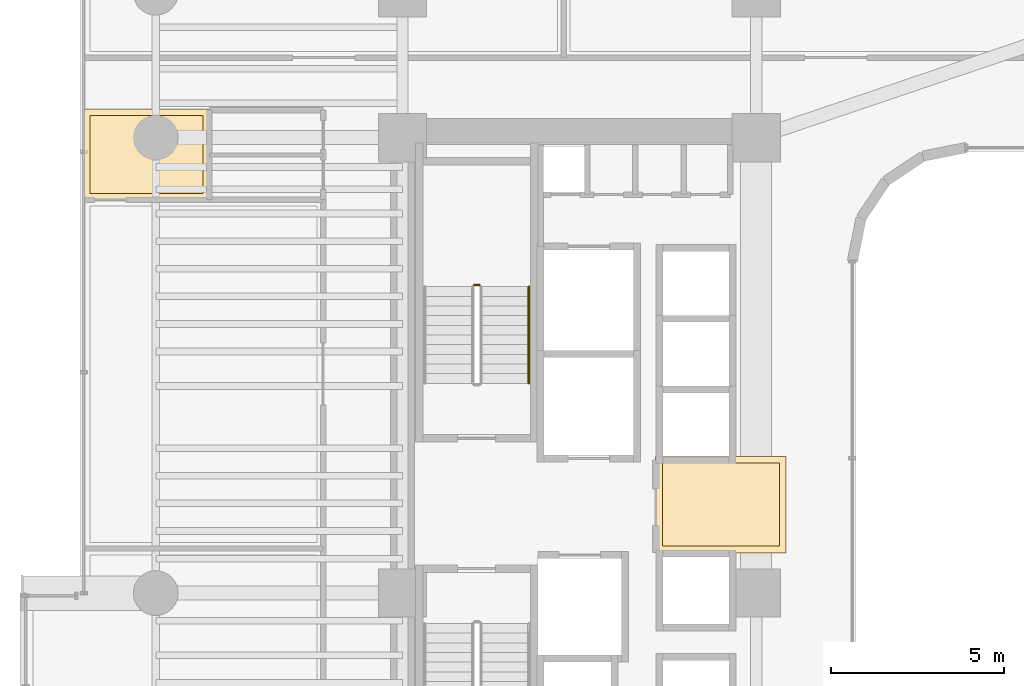
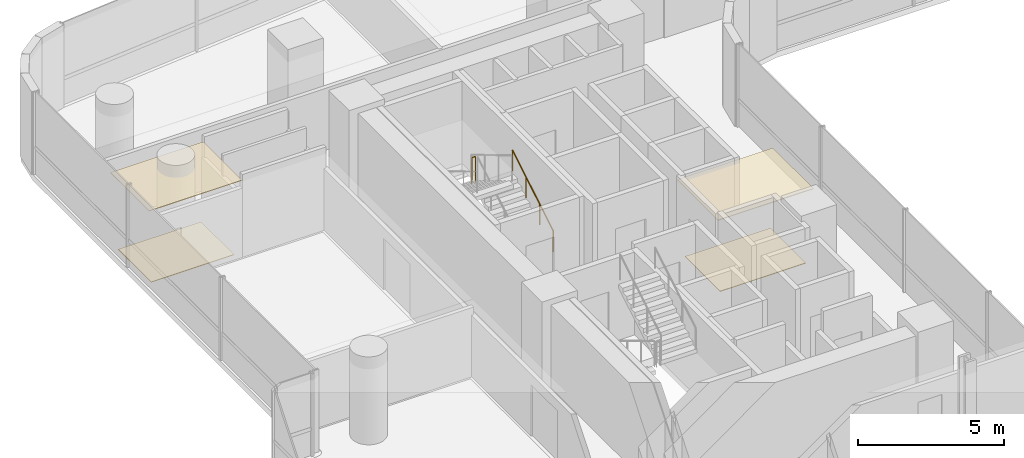
# One storey, part 38 of 41: 4 coverings, 2 railings.
"""IFC4 building model written with IfcOpenShell, lengths in metres."""

from ifc_helpers import new_model, si_unit, direction, frame, origin, origin_2d, place, context, subcontext, project, spatial, polyline, circle, outline, extrude, material, layer, layer_set, type_object, element, save


model = new_model("IFC4")

# Units and contexts
model_context = context("Model", 3, precision=1e-05, world=origin(), true_north=direction((0.0, 1.0)))
body_context = subcontext(model_context, "Body", "Model", "MODEL_VIEW")
ifc_project = project(units=[si_unit("LENGTHUNIT", "METRE"), si_unit("AREAUNIT", "SQUARE_METRE"), si_unit("VOLUMEUNIT", "CUBIC_METRE"), si_unit("PLANEANGLEUNIT", "RADIAN"), si_unit("MASSUNIT", "GRAM", prefix="KILO")], contexts=[model_context])

# Site, building, storey
site_placement = place(None, origin())
site = spatial("IfcSite", under=ifc_project, at=site_placement, CompositionType="ELEMENT")
building_placement = place(site_placement, origin())
building = spatial("IfcBuilding", under=site, at=building_placement, Name="Valdorenza Pilgrim Sanctuary Tower", CompositionType="ELEMENT")
storey_placement = place(building_placement, frame((0.0, 0.0, 63.0)))
storey = spatial("IfcBuildingStorey", under=building, at=storey_placement, Name="L15", CompositionType="ELEMENT", Elevation=63.0)

# Coverings
ifc_material_1 = material(Name="Micro-perforated acoustic mineral ceiling tile", Category="gypsum")
ifc_layer_1 = layer(ifc_material_1, 0.02490234375, Name="Micro-perforated acoustic mineral ceiling tile")
ifc_layer_set_1 = layer_set([ifc_layer_1], Name="Micro-perforated acoustic mineral ceiling tile")
covering_type_1 = type_object("IfcCoveringType", Name="COV-CLG-ACU", PredefinedType="CEILING", material=ifc_layer_set_1)
covering_1_placement = place(storey_placement, frame((0.0, 0.0, 3.159912109375)))
element("IfcCovering", 1, at=covering_1_placement, inside=storey, type_object=covering_type_1, Name="L15 Core A Passenger Lift Lobby Acoustic Ceiling", PredefinedType="CEILING", context=body_context, shape_type="SweptSolid", body=[
    extrude(outline(polyline([(-15.31298828125, 1.244384765625), (-15.31298828125, 1.24462890625), (-15.313720703125, 1.24609375), (-15.314208984375, 1.24755859375), (-15.314697265625, 1.2490234375), (-15.31494140625, 1.25048828125), (-15.31494140625, 1.251953125), (-15.31494140625, 1.35009765625), (-15.31494140625, 1.3515625), (-15.314697265625, 1.352783203125), (-15.314453125, 1.3544921875), (-15.31396484375, 1.355712890625), (-15.313232421875, 1.357177734375), (-15.3125, 1.3583984375), (-15.3115234375, 1.359619140625), (-15.310546875, 1.360595703125), (-15.3095703125, 1.361572265625), (-15.308349609375, 1.362548828125), (-15.30712890625, 1.36328125), (-15.3056640625, 1.364013671875), (-15.304443359375, 1.364501953125), (-15.302978515625, 1.36474609375), (-15.301513671875, 1.364990234375), (-15.300048828125, 1.364990234375), (-15.10205078125, 1.364990234375), (-15.1005859375, 1.364990234375), (-15.09912109375, 1.36474609375), (-15.097412109375, 1.3642578125), (-15.09619140625, 1.36376953125), (-15.0947265625, 1.363037109375), (-15.094482421875, 1.363037109375), (-13.185546875, 1.363037109375), (-13.185302734375, 1.363037109375), (-13.183837890625, 1.36376953125), (-13.1826171875, 1.3642578125), (-13.180908203125, 1.36474609375), (-13.179443359375, 1.364990234375), (-13.177978515625, 1.364990234375), (-11.550048828125, 1.364990234375), (-11.548583984375, 1.364990234375), (-11.547119140625, 1.36474609375), (-11.545654296875, 1.364501953125), (-11.544189453125, 1.364013671875), (-11.54296875, 1.36328125), (-11.541748046875, 1.362548828125), (-11.54052734375, 1.361572265625), (-11.539306640625, 1.360595703125), (-11.538330078125, 1.359619140625), (-11.53759765625, 1.3583984375), (-11.536865234375, 1.357177734375), (-11.5361328125, 1.355712890625), (-11.53564453125, 1.3544921875), (-11.535400390625, 1.352783203125), (-11.53515625, 1.3515625), (-11.534912109375, 1.35009765625), (-11.534912109375, -1.419921875), (-11.53515625, -1.42138671875), (-11.535400390625, -1.4228515625), (-11.53564453125, -1.42431640625), (-11.5361328125, -1.42578125), (-11.536865234375, -1.427001953125), (-11.53759765625, -1.42822265625), (-11.538330078125, -1.429443359375), (-11.539306640625, -1.4306640625), (-11.54052734375, -1.431640625), (-11.541748046875, -1.4326171875), (-11.54296875, -1.43310546875), (-11.544189453125, -1.433837890625), (-11.545654296875, -1.434326171875), (-11.547119140625, -1.434814453125), (-11.548583984375, -1.434814453125), (-11.550048828125, -1.43505859375), (-15.298095703125, -1.43505859375), (-15.299560546875, -1.434814453125), (-15.30078125, -1.434814453125), (-15.302490234375, -1.434326171875), (-15.3037109375, -1.433837890625), (-15.30517578125, -1.43310546875), (-15.306396484375, -1.4326171875), (-15.3076171875, -1.431640625), (-15.30859375, -1.4306640625), (-15.3095703125, -1.429443359375), (-15.310546875, -1.42822265625), (-15.311279296875, -1.427001953125), (-15.31201171875, -1.42578125), (-15.3125, -1.42431640625), (-15.312744140625, -1.4228515625), (-15.31298828125, -1.42138671875), (-15.31298828125, -1.419921875), (-15.31298828125, 1.244384765625)])), origin(), (0.0, 0.0, 1.0), 0.025146484375),
])
covering_2_placement = place(storey_placement, frame((0.0, 0.0, 3.159912109375)))
element("IfcCovering", 2, at=covering_2_placement, inside=storey, type_object=covering_type_1, Name="L15 Pilgrim Scholar Office L15-WN Acoustic Ceiling", PredefinedType="CEILING", context=body_context, shape_type="SweptSolid", body=[
    extrude(outline(polyline([(-28.237060546875, 11.39453125), (-28.237060546875, 10.103759765625), (-28.23681640625, 10.10302734375), (-28.23681640625, 10.1015625), (-28.23681640625, 10.10009765625), (-28.23681640625, 10.098388671875), (-28.237060546875, 10.09814453125), (-28.237060546875, 8.800048828125), (-28.237060546875, 8.798583984375), (-28.2373046875, 8.797119140625), (-28.237548828125, 8.795654296875), (-28.238037109375, 8.794189453125), (-28.23876953125, 8.79296875), (-28.239501953125, 8.791748046875), (-28.240478515625, 8.79052734375), (-28.241455078125, 8.789306640625), (-28.242431640625, 8.788330078125), (-28.24365234375, 8.78759765625), (-28.244873046875, 8.786865234375), (-28.246337890625, 8.7861328125), (-28.24755859375, 8.78564453125), (-28.2490234375, 8.785400390625), (-28.25048828125, 8.78515625), (-28.251953125, 8.784912109375), (-31.889892578125, 8.784912109375), (-31.8916015625, 8.78515625), (-31.892822265625, 8.785400390625), (-31.894287109375, 8.78564453125), (-31.895751953125, 8.7861328125), (-31.897216796875, 8.786865234375), (-31.898193359375, 8.78759765625), (-31.8994140625, 8.788330078125), (-31.900634765625, 8.789306640625), (-31.901611328125, 8.79052734375), (-31.902587890625, 8.791748046875), (-31.9033203125, 8.79296875), (-31.90380859375, 8.794189453125), (-31.904296875, 8.795654296875), (-31.90478515625, 8.797119140625), (-31.90478515625, 8.798583984375), (-31.905029296875, 8.800048828125), (-31.905029296875, 11.419921875), (-31.90478515625, 11.42138671875), (-31.90478515625, 11.4228515625), (-31.904296875, 11.42431640625), (-31.90380859375, 11.42578125), (-31.9033203125, 11.427001953125), (-31.902587890625, 11.42822265625), (-31.901611328125, 11.429443359375), (-31.900634765625, 11.4306640625), (-31.8994140625, 11.431640625), (-31.898193359375, 11.4326171875), (-31.897216796875, 11.43310546875), (-31.895751953125, 11.433837890625), (-31.894287109375, 11.434326171875), (-31.892822265625, 11.434814453125), (-31.8916015625, 11.434814453125), (-31.889892578125, 11.43505859375), (-28.25, 11.43505859375), (-28.24853515625, 11.434814453125), (-28.2470703125, 11.434814453125), (-28.24560546875, 11.434326171875), (-28.244384765625, 11.433837890625), (-28.242919921875, 11.43310546875), (-28.24169921875, 11.4326171875), (-28.240478515625, 11.431640625), (-28.239501953125, 11.4306640625), (-28.23828125, 11.429443359375), (-28.237548828125, 11.42822265625), (-28.23681640625, 11.427001953125), (-28.236083984375, 11.42578125), (-28.235595703125, 11.42431640625), (-28.2353515625, 11.4228515625), (-28.235107421875, 11.42138671875), (-28.235107421875, 11.419921875), (-28.235107421875, 11.402099609375), (-28.235107421875, 11.400390625), (-28.2353515625, 11.39892578125), (-28.235595703125, 11.3974609375), (-28.236083984375, 11.39599609375), (-28.23681640625, 11.394775390625), (-28.237060546875, 11.39453125)])), origin(), (0.0, 0.0, 1.0), 0.025146484375),
])
ifc_material_2 = material(Name="Honed travertine stone flooring", Category="masonry")
ifc_layer_2 = layer(ifc_material_2, 0.030029296875, Name="Honed travertine stone flooring")
ifc_layer_set_2 = layer_set([ifc_layer_2], Name="Honed travertine stone flooring")
covering_type_2 = type_object("IfcCoveringType", Name="COV-FLR-TRV", PredefinedType="FLOORING", material=ifc_layer_set_2)
covering_3_placement = place(storey_placement, origin())
element("IfcCovering", 3, at=covering_3_placement, inside=storey, type_object=covering_type_2, Name="L15 Core A Passenger Lift Lobby Flooring", PredefinedType="FLOORING", context=body_context, shape_type="SweptSolid", body=[
    extrude(outline(polyline([(-15.117919921875, 1.169189453125), (-15.10888671875, 1.168212890625), (-15.10888671875, 1.168212890625), (-15.10009765625, 1.16796875), (-13.179931640625, 1.16796875), (-13.1796875, 1.16796875), (-11.72998046875, 1.169921875), (-11.72998046875, -1.239990234375), (-15.117919921875, -1.239990234375), (-15.117919921875, 1.169189453125)])), origin(), (0.0, 0.0, 1.0), 0.02490234375),
])
covering_4_placement = place(storey_placement, origin())
element("IfcCovering", 4, at=covering_4_placement, inside=storey, type_object=covering_type_2, Name="L15 Pilgrim Scholar Office L15-WN Flooring", PredefinedType="FLOORING", context=body_context, shape_type="SweptSolid", body=[
    extrude(outline(polyline([(-28.431884765625, 11.239990234375), (-28.431884765625, 10.10205078125), (-28.431884765625, 10.10107421875), (-28.431884765625, 10.100341796875), (-28.431884765625, 10.10009765625), (-28.431884765625, 8.97998046875), (-31.7099609375, 8.97998046875), (-31.7099609375, 11.239990234375), (-28.431884765625, 11.239990234375)])), origin(), (0.0, 0.0, 1.0), 0.02490234375),
])

# Railings
ifc_material_3 = material(Name="Stainless steel Grade 316", Category="steel")
railing_type_1 = type_object("IfcRailingType", Name="RLG-GRD-1120", PredefinedType="GUARDRAIL", material=ifc_material_3)
railing_1_placement = place(storey_placement, frame((-20.419921875, 6.330078125, 1.85009765625)))
element("IfcRailing", 5, at=railing_1_placement, inside=storey, type_object=railing_type_1, Name="L15 ST-A1 stair guard 2", PredefinedType="GUARDRAIL", context=body_context, shape_type="SweptSolid", body=[
    extrude(circle(Radius=0.02392578125, at=origin_2d()), frame((0.0, 0.0, 1.076171875), z_axis=(-1.0, 0.0, 0.0), x_axis=(0.0, -1.0, 0.0)), (0.0, 0.0, 1.0), 0.150146484375),
    extrude(circle(Radius=0.02099609375, at=origin_2d()), origin(), (0.0, 0.0, 1.0), 1.052001953125),
    extrude(circle(Radius=0.02099609375, at=origin_2d()), frame((-0.150146484375, 0.0, 0.0)), (0.0, 0.0, 1.0), 1.052001953125),
])
ifc_material_4 = material(Name="Brushed stainless steel Grade 316", Category="steel")
railing_type_2 = type_object("IfcRailingType", Name="RLG-HND-920", PredefinedType="HANDRAIL", material=ifc_material_4)
railing_2_placement = place(storey_placement, frame((-18.989990234375, 3.47998046875, 0.168212890625)))
element("IfcRailing", 6, at=railing_2_placement, inside=storey, type_object=railing_type_2, Name="L15 ST-A1 stair handrail 1", PredefinedType="HANDRAIL", context=body_context, shape_type="SweptSolid", body=[
    extrude(circle(Radius=0.02392578125, at=origin_2d()), frame((0.0, 0.0, 0.8759765625), z_axis=(0.0, 0.857242210791, 0.514913383045), x_axis=(-1.0, 0.0, 0.0)), (0.0, 0.0, 1.0), 3.266357421875),
    extrude(circle(Radius=0.02099609375, at=origin_2d()), origin(), (0.0, 0.0, 1.0), 0.851806640625),
    extrude(circle(Radius=0.02099609375, at=origin_2d()), frame((0.0, 0.933349609375, 0.560546875)), (0.0, 0.0, 1.0), 0.851806640625),
    extrude(circle(Radius=0.02099609375, at=origin_2d()), frame((0.0, 1.86669921875, 1.121337890625)), (0.0, 0.0, 1.0), 0.851806640625),
    extrude(circle(Radius=0.02099609375, at=origin_2d()), frame((0.0, 2.800048828125, 1.681884765625)), (0.0, 0.0, 1.0), 0.851806640625),
])

save(model, "model.ifc")
